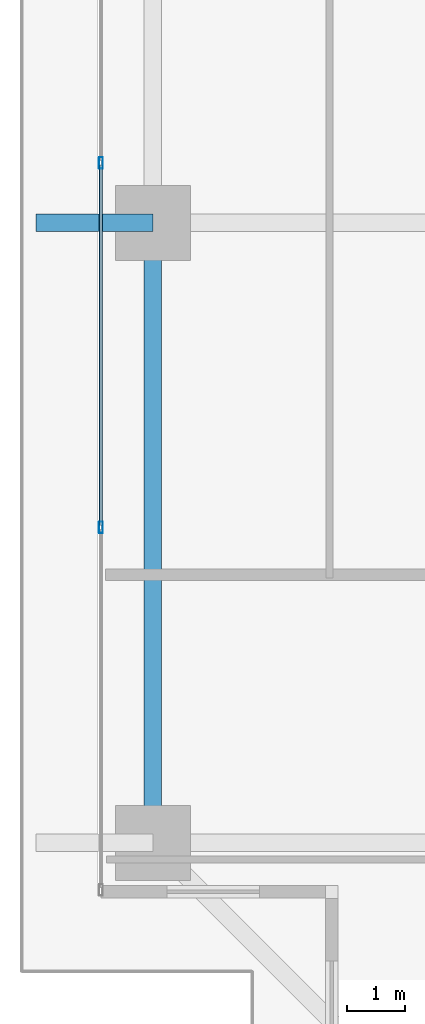
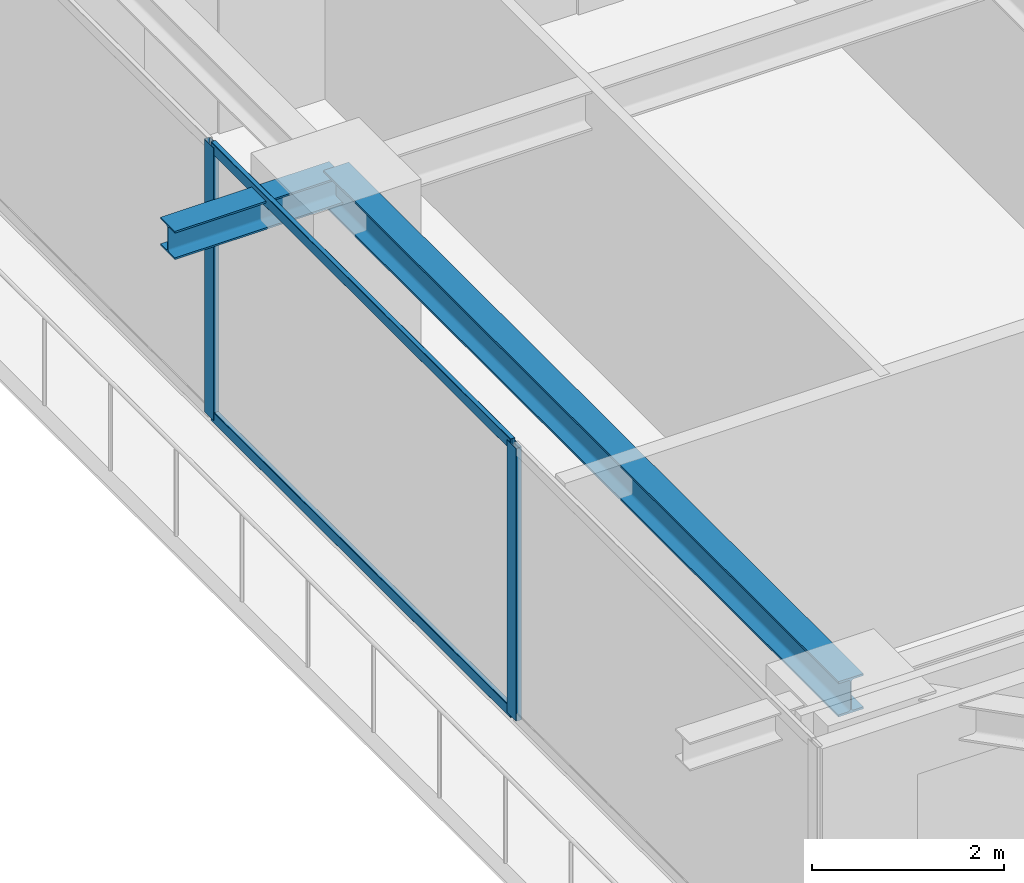
# One storey, part 7 of 37: 4 members, 2 beams, 1 element without a shape of its own.
"""IFC4 building model written with IfcOpenShell, lengths in metres."""

import ifcopenshell
import ifcopenshell.guid

model = None  # the IFC model being written
_history = None  # IfcOwnerHistory: only IFC2X3 demands one
_inside = {}  # id of a spatial element -> (the spatial element, [elements in it])
_under = {}  # id of a project, library or spatial element -> (it, [spatial elements below it])
_declared = {}  # id of a project -> (the project, [libraries it declares])
_typed = {}  # id of a type object -> (the type object, [elements of that type])
_made_of = {}  # id of a material, layer set ... -> (it, [elements and type objects made of it])


def new_model(schema):
    """Start an empty IFC model of exactly this schema.

    Asked for "IFC4X3", IfcOpenShell would pick the latest addendum, in which some entities
    have other attributes; the version numbers below select the first issue.
    IFC2X3 requires an IfcOwnerHistory on every rooted entity: one is made here for all.
    """
    global model, _history
    if schema == "IFC4X3":
        model = ifcopenshell.file(schema_version=(4, 3, 0, 0))
    else:
        model = ifcopenshell.file(schema=schema)
    _inside.clear()
    _under.clear()
    _declared.clear()
    _typed.clear()
    _made_of.clear()
    _history = None
    if model.schema == "IFC2X3":
        org = make("IfcOrganization", Name="unknown")
        user = make(
            "IfcPersonAndOrganization",
            ThePerson=make("IfcPerson", FamilyName="unknown"),
            TheOrganization=org,
        )
        app = make(
            "IfcApplication",
            ApplicationDeveloper=org,
            Version="unknown",
            ApplicationFullName="unknown",
            ApplicationIdentifier="unknown",
        )
        _history = make(
            "IfcOwnerHistory",
            OwningUser=user,
            OwningApplication=app,
            ChangeAction="ADDED",
            CreationDate=0,
        )
    return model


def make(cls, **values):
    """One entity of the class cls with the attributes given. An attribute that is None is left unset."""
    return model.create_entity(
        cls, **{name: value for name, value in values.items() if value is not None}
    )


def rooted(cls, **values):
    """An entity with a GlobalId (a new one), such as an element, a storey or a relation."""
    return make(cls, GlobalId=ifcopenshell.guid.new(), OwnerHistory=_history, **values)


def si_unit(unit_type, name, prefix=None):
    """IfcSIUnit, for example si_unit("LENGTHUNIT", "METRE", prefix="MILLI")."""
    return make("IfcSIUnit", UnitType=unit_type, Prefix=prefix, Name=name)


def assignment(units):
    """IfcUnitAssignment: the units of a project."""
    return None if units is None else make("IfcUnitAssignment", Units=units)


def point(xyz):
    """IfcCartesianPoint."""
    return None if xyz is None else make("IfcCartesianPoint", Coordinates=xyz)


def direction(xyz):
    """IfcDirection."""
    return None if xyz is None else make("IfcDirection", DirectionRatios=xyz)


def frame(location, z_axis=None, x_axis=None):
    """IfcAxis2Placement3D, a coordinate frame: its origin and axes. An axis left out is left unset."""
    return make(
        "IfcAxis2Placement3D",
        Location=point(location),
        Axis=direction(z_axis),
        RefDirection=direction(x_axis),
    )


def frame_2d(location, x_axis=None):
    """IfcAxis2Placement2D, a coordinate frame in the plane: its origin and x axis."""
    return make(
        "IfcAxis2Placement2D", Location=point(location), RefDirection=direction(x_axis)
    )


def origin():
    """The frame at (0, 0, 0) with its axes left unset."""
    return frame((0.0, 0.0, 0.0))


def origin_2d():
    """The frame at (0, 0) in the plane with its x axis left unset."""
    return frame_2d((0.0, 0.0))


def place(relative_to, where):
    """IfcLocalPlacement: puts the frame where relative to a parent placement (None: the world)."""
    return make(
        "IfcLocalPlacement", PlacementRelTo=relative_to, RelativePlacement=where
    )


def context(
    kind, dimensions, precision=None, world=None, true_north=None, identifier=None
):
    """IfcGeometricRepresentationContext, for example the 3D "Model" context."""
    return make(
        "IfcGeometricRepresentationContext",
        ContextIdentifier=identifier,
        ContextType=kind,
        CoordinateSpaceDimension=dimensions,
        Precision=precision,
        WorldCoordinateSystem=world,
        TrueNorth=true_north,
    )


def subcontext(parent, identifier, kind, view, scale=None):
    """IfcGeometricRepresentationSubContext, for example "Body" below "Model"."""
    return make(
        "IfcGeometricRepresentationSubContext",
        ContextIdentifier=identifier,
        ContextType=kind,
        ParentContext=parent,
        TargetScale=scale,
        TargetView=view,
    )


def project(units=None, contexts=None):
    """IfcProject with its units and contexts."""
    return rooted(
        "IfcProject",
        Name="project",
        RepresentationContexts=contexts,
        UnitsInContext=assignment(units),
    )


def spatial(cls, under=None, at=None, **own):
    """A site, building, storey or space (cls), placed at a placement, below another one or the project."""
    s = rooted(cls, ObjectPlacement=at, **own)
    if under is not None:
        _under.setdefault(under.id(), (under, []))[1].append(s)
    return s


def profile(cls, at=None, kind="AREA", **sizes):
    """A parametric profile (cls). Its sizes go by their IFC names, for example OverallWidth=200.0."""
    return make(cls, ProfileType=kind, Position=at, **sizes)


def hollow_rectangle(**sizes):
    """IfcRectangleHollowProfileDef."""
    return profile("IfcRectangleHollowProfileDef", **sizes)


def i_section(**sizes):
    """IfcIShapeProfileDef."""
    return profile("IfcIShapeProfileDef", **sizes)


def extrude(swept, where, along, depth):
    """IfcExtrudedAreaSolid: the profile swept, set in the frame where, extruded along a direction by depth."""
    return make(
        "IfcExtrudedAreaSolid",
        SweptArea=swept,
        Position=where,
        ExtrudedDirection=direction(along),
        Depth=depth,
    )


def shape(context_of_items, identifier, shape_type, items):
    """IfcShapeRepresentation: the items that make up one representation, for example the "Body"."""
    return make(
        "IfcShapeRepresentation",
        ContextOfItems=context_of_items,
        RepresentationIdentifier=identifier,
        RepresentationType=shape_type,
        Items=items,
    )


def source(mapping_origin, context_of_items, identifier, shape_type, items):
    """IfcRepresentationMap: a shape defined once, which mapped items show again and again."""
    return make(
        "IfcRepresentationMap",
        MappingOrigin=mapping_origin,
        MappedRepresentation=shape(context_of_items, identifier, shape_type, items),
    )


def transform(
    local_origin,
    x_axis=None,
    y_axis=None,
    z_axis=None,
    scale=None,
    scale2=None,
    scale3=None,
    uniform=True,
):
    """IfcCartesianTransformationOperator3D, or its non-uniform kind. x_axis, y_axis, z_axis: its Axis1, 2, 3."""
    if uniform:
        return make(
            "IfcCartesianTransformationOperator3D",
            Axis1=direction(x_axis),
            Axis2=direction(y_axis),
            LocalOrigin=point(local_origin),
            Scale=scale,
            Axis3=direction(z_axis),
        )
    return make(
        "IfcCartesianTransformationOperator3DnonUniform",
        Axis1=direction(x_axis),
        Axis2=direction(y_axis),
        LocalOrigin=point(local_origin),
        Scale=scale,
        Axis3=direction(z_axis),
        Scale2=scale2,
        Scale3=scale3,
    )


def mapped(mapping_source, mapping_target):
    """IfcMappedItem: shows the shape of a source again, moved by a transform."""
    return make(
        "IfcMappedItem", MappingSource=mapping_source, MappingTarget=mapping_target
    )


def material(Name=None, Category=None):
    """IfcMaterial."""
    return make("IfcMaterial", Name=Name, Category=Category)


def layer(
    of_material, thickness, ventilated=None, Name=None, Category=None, Priority=None
):
    """IfcMaterialLayer: one layer of a wall or slab, of a material (None: an air gap)."""
    return make(
        "IfcMaterialLayer",
        Material=of_material,
        LayerThickness=thickness,
        IsVentilated=ventilated,
        Name=Name,
        Category=Category,
        Priority=Priority,
    )


def layer_set(layers, Name=None):
    """IfcMaterialLayerSet."""
    return make("IfcMaterialLayerSet", MaterialLayers=layers, LayerSetName=Name)


def material_profile(
    of_material, cross_section, Name=None, Category=None, Priority=None
):
    """IfcMaterialProfile: a cross section and its material."""
    return make(
        "IfcMaterialProfile",
        Name=Name,
        Material=of_material,
        Profile=cross_section,
        Priority=Priority,
        Category=Category,
    )


def profile_set(profiles, Name=None, composite=None):
    """IfcMaterialProfileSet."""
    return make(
        "IfcMaterialProfileSet",
        Name=Name,
        MaterialProfiles=profiles,
        CompositeProfile=composite,
    )


def made_of(thing, what):
    """Note that an element or type object is made of a material, layer set ...; save() writes the relation."""
    if what is not None:
        _made_of.setdefault(what.id(), (what, []))[1].append(thing)
    return thing


def type_object(cls, material=None, **own):
    """A type object (cls), such as IfcWallType, which elements share."""
    return made_of(rooted(cls, **own), material)


def element(
    cls,
    number,
    at=None,
    inside=None,
    cuts=None,
    type_object=None,
    material=None,
    context=None,
    identifier="Body",
    shape_type=None,
    held_by="IfcProductDefinitionShape",
    body=None,
    shapes=None,
    **own,
):
    """One element of the class cls, such as IfcWall. Its Tag is "e" and its number.

    at: its placement. inside: the storey or other place that contains it. cuts: it is an
    opening in that element (IfcRelVoidsElement). A single representation is given by context,
    identifier, shape_type and body (its items); several are given by shapes. held_by: the class
    of the entity that holds the representations. save() writes the other relations.
    """
    e = rooted(cls, Tag="e%d" % number, ObjectPlacement=at, **own)
    if body is not None:
        shapes = [shape(context, identifier, shape_type, body)]
    if shapes is not None:
        e.Representation = make(held_by, Representations=shapes)
    if inside is not None:
        _inside.setdefault(inside.id(), (inside, []))[1].append(e)
    if cuts is not None:
        rooted(
            "IfcRelVoidsElement", RelatingBuildingElement=cuts, RelatedOpeningElement=e
        )
    if type_object is not None:
        _typed.setdefault(type_object.id(), (type_object, []))[1].append(e)
    return made_of(e, material)


def aggregate(whole, parts):
    """IfcRelAggregates: a whole, such as a stair, and the parts it consists of."""
    return rooted("IfcRelAggregates", RelatingObject=whole, RelatedObjects=parts)


def save(model, path):
    """Write the relations noted so far, then the file.

    IfcRelAggregates (storeys below a building ...), IfcRelContainedInSpatialStructure (elements
    in a storey), IfcRelDefinesByType, IfcRelAssociatesMaterial and IfcRelDeclares: one each for
    every whole, place, type object, material and project.
    """
    for whole, parts in _under.values():
        aggregate(whole, parts)
    for where, things in _inside.values():
        rooted(
            "IfcRelContainedInSpatialStructure",
            RelatedElements=things,
            RelatingStructure=where,
        )
    for kind, things in _typed.values():
        rooted("IfcRelDefinesByType", RelatedObjects=things, RelatingType=kind)
    for what, things in _made_of.values():
        rooted("IfcRelAssociatesMaterial", RelatedObjects=things, RelatingMaterial=what)
    for by, libraries in _declared.values():
        rooted("IfcRelDeclares", RelatingContext=by, RelatedDefinitions=libraries)
    model.write(path)


model = new_model("IFC4")

# Units and contexts
model_context = context("Model", 3, precision=1e-05, world=origin(), true_north=direction((0.0, 1.0)))
body_context = subcontext(model_context, "Body", "Model", "MODEL_VIEW")
ifc_project = project(units=[si_unit("LENGTHUNIT", "METRE"), si_unit("AREAUNIT", "SQUARE_METRE"), si_unit("VOLUMEUNIT", "CUBIC_METRE"), si_unit("PLANEANGLEUNIT", "RADIAN"), si_unit("MASSUNIT", "GRAM", prefix="KILO")], contexts=[model_context])

# Site, building, storey
site_placement = place(None, origin())
site = spatial("IfcSite", under=ifc_project, at=site_placement, CompositionType="ELEMENT")
building_placement = place(site_placement, origin())
building = spatial("IfcBuilding", under=site, at=building_placement, Name="Serunith Strait Residences", CompositionType="ELEMENT")
storey_placement = place(building_placement, frame((0.0, 0.0, 161.39990234375)))
storey = spatial("IfcBuildingStorey", under=building, at=storey_placement, Name="L40", CompositionType="ELEMENT", Elevation=161.39990234375)

# Beams
ifc_material_1 = material(Name="Steel S355J2", Category="steel")
ifc_material_profile_1 = material_profile(ifc_material_1, i_section(OverallWidth=0.300048828125, OverallDepth=0.449951171875, WebThickness=0.013916015625, FlangeThickness=0.02587890625, FilletRadius=0.027099609375, at=origin_2d()), Name="HEB 450")
ifc_profile_set_1 = profile_set([ifc_material_profile_1], Name="Steel S355J2")
beam_type_1 = type_object("IfcBeamType", Name="BM-HEB450", PredefinedType="BEAM", material=ifc_profile_set_1)
shared_shape_1 = source(origin(), body_context, "Body", "SweptSolid", [
    extrude(i_section(OverallWidth=0.300048828125, OverallDepth=0.449951171875, WebThickness=0.013916015625, FlangeThickness=0.02587890625, FilletRadius=0.027099609375, at=origin_2d()), origin(), (0.0, 0.0, 1.0), 10.75),
])
beam_1_placement = place(storey_placement, frame((8.699951171875, 21.0, 3.26220703125), z_axis=(0.0, -1.0, 0.0), x_axis=(1.0, 0.0, 0.0)))
element("IfcBeam", 1, at=beam_1_placement, inside=storey, type_object=beam_type_1, Name="L40 Perimeter Ring Beam 15", PredefinedType="BEAM", context=body_context, shape_type="MappedRepresentation", body=[
    mapped(shared_shape_1, transform((0.0, 0.0, 0.0), scale=1.0)),
])
ifc_material_profile_2 = material_profile(ifc_material_1, i_section(OverallWidth=0.300048828125, OverallDepth=0.360107421875, WebThickness=0.012451171875, FlangeThickness=0.0224609375, FilletRadius=0.027099609375, at=origin_2d()), Name="HEB 360")
ifc_profile_set_2 = profile_set([ifc_material_profile_2], Name="Steel S355J2")
beam_type_2 = type_object("IfcBeamType", Name="BM-HEB360", PredefinedType="BEAM", material=ifc_profile_set_2)
shared_shape_2 = source(origin(), body_context, "Body", "SweptSolid", [
    extrude(i_section(OverallWidth=0.300048828125, OverallDepth=0.360107421875, WebThickness=0.012451171875, FlangeThickness=0.0224609375, FilletRadius=0.027099609375, at=origin_2d()), origin(), (0.0, 0.0, 1.0), 2.030029296875),
])
beam_2_placement = place(storey_placement, frame((8.699951171875, 21.0, 3.277099609375), z_axis=(-1.0, 0.0, 0.0), x_axis=(0.0, -1.0, 0.0)))
element("IfcBeam", 2, at=beam_2_placement, inside=storey, type_object=beam_type_2, Name="L41 Cantilevered Balcony Rib TC-W2", PredefinedType="BEAM", context=body_context, shape_type="MappedRepresentation", body=[
    mapped(shared_shape_2, transform((0.0, 0.0, 0.0), scale=1.0)),
])

# Curtain wall, members
ifc_material_2 = material(Name="Pale-Champagne Anodised Aluminium", Category="aluminium")
ifc_layer = layer(ifc_material_2, 0.199951171875, Name="Pale-Champagne Anodised Aluminium")
ifc_layer_set = layer_set([ifc_layer], Name="Pale-Champagne Anodised Aluminium")
curtain_wall_type = type_object("IfcCurtainWallType", Name="CW-SYS2", PredefinedType="NOTDEFINED", material=ifc_layer_set)
curtain_wall_placement = place(storey_placement, origin())
curtain_wall = element("IfcCurtainWall", 3, at=curtain_wall_placement, inside=storey, type_object=curtain_wall_type, Name="L40 W Unitised Fritted Curtain Wall", PredefinedType="NOTDEFINED")
ifc_material_profile_3 = material_profile(ifc_material_2, hollow_rectangle(XDim=0.070068359375, YDim=0.199951171875, WallThickness=0.00390625, InnerFilletRadius=0.006103515625, OuterFilletRadius=0.010009765625, at=origin_2d()), Name="ALU 200x70x4")
ifc_profile_set_3 = profile_set([ifc_material_profile_3], Name="Pale-Champagne Anodised Aluminium")
member_type_1 = type_object("IfcMemberType", Name="CW-SYS2-MULL", PredefinedType="MULLION", material=ifc_profile_set_3)
shared_shape_3 = source(origin(), body_context, "Body", "SweptSolid", [
    extrude(hollow_rectangle(XDim=0.070068359375, YDim=0.199951171875, WallThickness=0.00390625, InnerFilletRadius=0.006103515625, OuterFilletRadius=0.010009765625, at=origin_2d()), origin(), (0.0, 0.0, 1.0), 3.47509765625),
])
member_1_placement = place(storey_placement, frame((7.800048828125, 22.0400390625, 0.0), z_axis=(0.0, 0.0, 1.0), x_axis=(1.0, 0.0, 0.0)))
member_1 = element("IfcMember", 4, at=member_1_placement, type_object=member_type_1, Name="CW-2 mullion 4", PredefinedType="MULLION", context=body_context, shape_type="MappedRepresentation", body=[
    mapped(shared_shape_3, transform((0.0, 0.0, 0.0), scale=1.0)),
])
member_2_placement = place(storey_placement, frame((7.800048828125, 15.719970703125, 0.0), z_axis=(0.0, 0.0, 1.0), x_axis=(1.0, 0.0, 0.0)))
member_2 = element("IfcMember", 5, at=member_2_placement, type_object=member_type_1, Name="CW-2 mullion 5", PredefinedType="MULLION", context=body_context, shape_type="MappedRepresentation", body=[
    mapped(shared_shape_3, transform((0.0, 0.0, 0.0), scale=1.0)),
])
ifc_material_profile_4 = material_profile(ifc_material_2, hollow_rectangle(XDim=0.06005859375, YDim=0.139892578125, WallThickness=0.00341796875, InnerFilletRadius=0.00537109375, OuterFilletRadius=0.0087890625, at=origin_2d()), Name="ALU 140x60x3.5")
ifc_profile_set_4 = profile_set([ifc_material_profile_4], Name="Pale-Champagne Anodised Aluminium")
member_type_2 = type_object("IfcMemberType", Name="CW-SYS2-TRAN", PredefinedType="USERDEFINED", material=ifc_profile_set_4)
shared_shape_4 = source(origin(), body_context, "Body", "SweptSolid", [
    extrude(hollow_rectangle(XDim=0.06005859375, YDim=0.139892578125, WallThickness=0.00341796875, InnerFilletRadius=0.00537109375, OuterFilletRadius=0.0087890625, at=origin_2d()), origin(), (0.0, 0.0, 1.0), 6.25),
])
member_3_placement = place(storey_placement, frame((7.800048828125, 22.0048828125, 0.030029296875), z_axis=(0.0, -1.0, 0.0), x_axis=(1.0, 0.0, 0.0)))
member_3 = element("IfcMember", 6, at=member_3_placement, type_object=member_type_2, Name="CW-2 transom 4.1", ObjectType="TRANSOM", PredefinedType="USERDEFINED", context=body_context, shape_type="MappedRepresentation", body=[
    mapped(shared_shape_4, transform((0.0, 0.0, 0.0), scale=1.0)),
])
member_4_placement = place(storey_placement, frame((7.800048828125, 22.0048828125, 3.445068359375), z_axis=(0.0, -1.0, 0.0), x_axis=(1.0, 0.0, 0.0)))
member_4 = element("IfcMember", 7, at=member_4_placement, type_object=member_type_2, Name="CW-2 transom 4.2", ObjectType="TRANSOM", PredefinedType="USERDEFINED", context=body_context, shape_type="MappedRepresentation", body=[
    mapped(shared_shape_4, transform((0.0, 0.0, 0.0), scale=1.0)),
])
aggregate(curtain_wall, [member_1, member_2, member_3, member_4])

save(model, "model.ifc")
